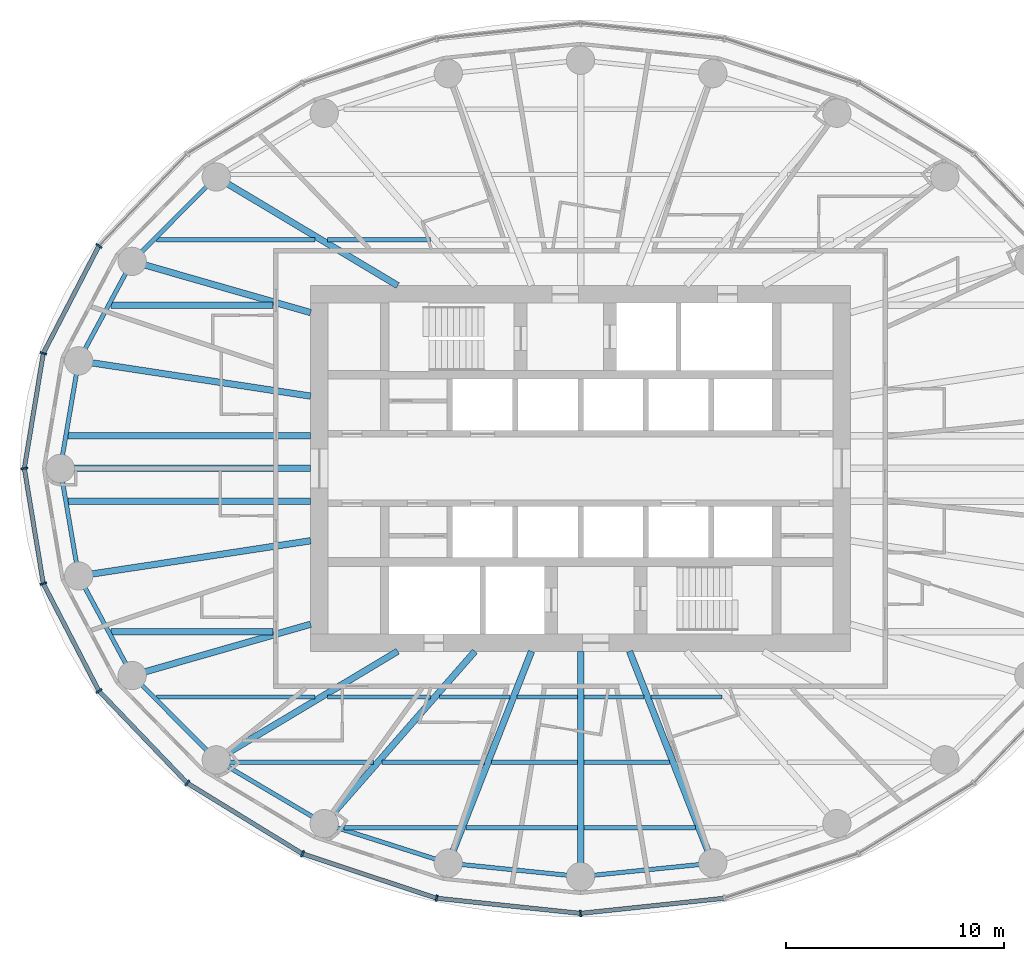
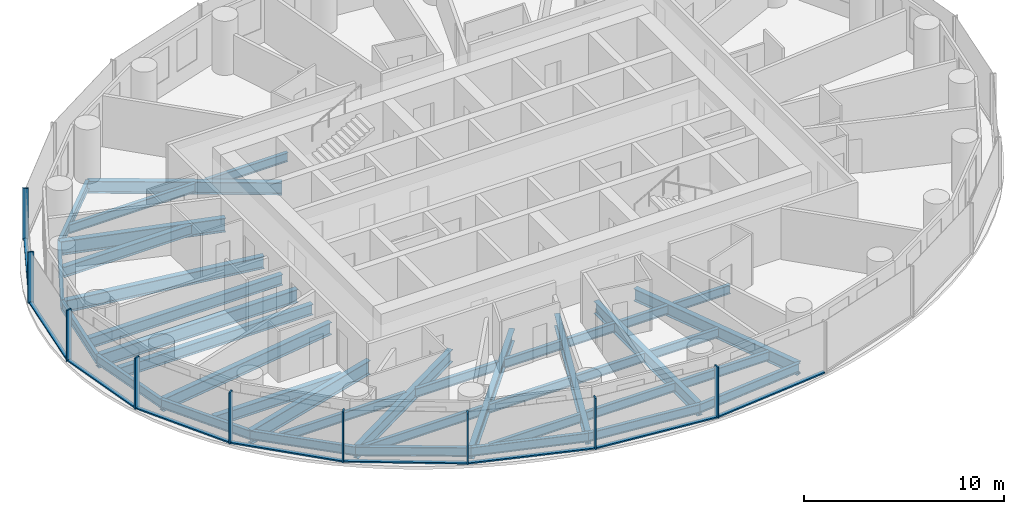
# One storey, part 2 of 13: 40 beams, 18 members, 3 elements without a shape of their own.
"""IFC4 building model written with IfcOpenShell, lengths in metres."""

from ifc_helpers import new_model, si_unit, direction, frame, origin, origin_2d, place, context, subcontext, project, spatial, rectangle, i_section, extrude, material, material_profile, profile_set, type_object, element, aggregate, save


model = new_model("IFC4")

# Units and contexts
model_context = context("Model", 3, precision=1e-05, world=origin(), true_north=direction((0.0, 1.0)))
body_context = subcontext(model_context, "Body", "Model", "MODEL_VIEW")
ifc_project = project(units=[si_unit("LENGTHUNIT", "METRE"), si_unit("AREAUNIT", "SQUARE_METRE"), si_unit("VOLUMEUNIT", "CUBIC_METRE"), si_unit("PLANEANGLEUNIT", "RADIAN"), si_unit("MASSUNIT", "GRAM", prefix="KILO")], contexts=[model_context])

# Site, building, storey
site_placement = place(None, origin())
site = spatial("IfcSite", under=ifc_project, at=site_placement, CompositionType="ELEMENT")
building_placement = place(site_placement, origin())
building = spatial("IfcBuilding", under=site, at=building_placement, Name="Hankou Lantern Tower", CompositionType="ELEMENT")
storey_placement = place(building_placement, frame((0.0, 0.0, 122.10009765625)))
storey = spatial("IfcBuildingStorey", under=building, at=storey_placement, Name="L31", CompositionType="ELEMENT", Elevation=122.10009765625)

# Beams
ifc_material_1 = material(Name="Steel Q355B", Category="steel")
ifc_material_profile_1 = material_profile(ifc_material_1, i_section(OverallWidth=0.199951171875, OverallDepth=0.550048828125, WebThickness=0.010009765625, FlangeThickness=0.01611328125, FilletRadius=0.012939453125, at=origin_2d()), Name="HN550x200x10x16")
ifc_profile_set_1 = profile_set([ifc_material_profile_1], Name="Steel Q355B")
beam_type_1 = type_object("IfcBeamType", Name="EB6 RING BEAM HN550x200x10x16", PredefinedType="SPANDREL", material=ifc_profile_set_1)
beam_1_placement = place(storey_placement, frame((-16.73388671875, 13.38720703125, -0.455078125), z_axis=(-0.705945468625, -0.708266189599, 0.0), x_axis=(0.708266189599, -0.705945468625, 0.0)))
element("IfcBeam", 1, at=beam_1_placement, inside=storey, type_object=beam_type_1, Name="Ring beam R10-R11 L31", PredefinedType="SPANDREL", context=body_context, shape_type="SweptSolid", body=[
    extrude(i_section(OverallWidth=0.199951171875, OverallDepth=0.550048828125, WebThickness=0.010009765625, FlangeThickness=0.01611328125, FilletRadius=0.012939453125, at=origin_2d()), origin(), (0.0, 0.0, 1.0), 5.470458984375),
])
beam_2_placement = place(storey_placement, frame((-20.595703125, 9.5126953125, -0.455078125), z_axis=(-0.473824901673, -0.880619079145, 0.0), x_axis=(0.880619079145, -0.473824901673, 0.0)))
element("IfcBeam", 2, at=beam_2_placement, inside=storey, type_object=beam_type_1, Name="Ring beam R11-R12 L31", PredefinedType="SPANDREL", context=body_context, shape_type="SweptSolid", body=[
    extrude(i_section(OverallWidth=0.199951171875, OverallDepth=0.550048828125, WebThickness=0.010009765625, FlangeThickness=0.01611328125, FilletRadius=0.012939453125, at=origin_2d()), origin(), (0.0, 0.0, 1.0), 5.190185546875),
])
for number, where, z_axis, x_axis, name in (
    (3, (-23.054931640625, 4.942138671875, -0.455078125), (-0.168527258545, -0.985696993567, 0.0), (0.985696993567, -0.168527258545, 0.0), "Ring beam R12-R13 L31"),
    (4, (-23.89990234375, 0.0, -0.455078125), (0.168527258545, -0.985696993567, 0.0), (0.985696993567, 0.168527258545, 0.0), "Ring beam R13-R14 L31"),
):
    element("IfcBeam", number, at=place(storey_placement, frame(where, z_axis=z_axis, x_axis=x_axis)), inside=storey, type_object=beam_type_1, Name=name, PredefinedType="SPANDREL", context=body_context, shape_type="SweptSolid", body=[
        extrude(i_section(OverallWidth=0.199951171875, OverallDepth=0.550048828125, WebThickness=0.010009765625, FlangeThickness=0.01611328125, FilletRadius=0.012939453125, at=origin_2d()), origin(), (0.0, 0.0, 1.0), 5.013916015625),
    ])
beam_3_placement = place(storey_placement, frame((-23.054931640625, -4.942138671875, -0.455078125), z_axis=(0.473824901673, -0.880619079145, 0.0), x_axis=(0.880619079145, 0.473824901673, 0.0)))
element("IfcBeam", 5, at=beam_3_placement, inside=storey, type_object=beam_type_1, Name="Ring beam R14-R15 L31", PredefinedType="SPANDREL", context=body_context, shape_type="SweptSolid", body=[
    extrude(i_section(OverallWidth=0.199951171875, OverallDepth=0.550048828125, WebThickness=0.010009765625, FlangeThickness=0.01611328125, FilletRadius=0.012939453125, at=origin_2d()), origin(), (0.0, 0.0, 1.0), 5.190185546875),
])
beam_4_placement = place(storey_placement, frame((-20.595703125, -9.5126953125, -0.455078125), z_axis=(0.705945468625, -0.708266189599, 0.0), x_axis=(0.708266189599, 0.705945468625, 0.0)))
element("IfcBeam", 6, at=beam_4_placement, inside=storey, type_object=beam_type_1, Name="Ring beam R15-R16 L31", PredefinedType="SPANDREL", context=body_context, shape_type="SweptSolid", body=[
    extrude(i_section(OverallWidth=0.199951171875, OverallDepth=0.550048828125, WebThickness=0.010009765625, FlangeThickness=0.01611328125, FilletRadius=0.012939453125, at=origin_2d()), origin(), (0.0, 0.0, 1.0), 5.470458984375),
])
beam_5_placement = place(storey_placement, frame((-16.73388671875, -13.38720703125, -0.455078125), z_axis=(0.860988974188, -0.508623619513, 0.0), x_axis=(0.508623619513, 0.860988974188, 0.0)))
element("IfcBeam", 7, at=beam_5_placement, inside=storey, type_object=beam_type_1, Name="Ring beam R16-R17 L31", PredefinedType="SPANDREL", context=body_context, shape_type="SweptSolid", body=[
    extrude(i_section(OverallWidth=0.199951171875, OverallDepth=0.550048828125, WebThickness=0.010009765625, FlangeThickness=0.01611328125, FilletRadius=0.012939453125, at=origin_2d()), origin(), (0.0, 0.0, 1.0), 5.759033203125),
])
beam_6_placement = place(storey_placement, frame((-11.775390625, -16.31640625, -0.455078125), z_axis=(0.952731090451, -0.303814860215, 0.0), x_axis=(0.303814860215, 0.952731090451, 0.0)))
element("IfcBeam", 8, at=beam_6_placement, inside=storey, type_object=beam_type_1, Name="Ring beam R17-R18 L31", PredefinedType="SPANDREL", context=body_context, shape_type="SweptSolid", body=[
    extrude(i_section(OverallWidth=0.199951171875, OverallDepth=0.550048828125, WebThickness=0.010009765625, FlangeThickness=0.01611328125, FilletRadius=0.012939453125, at=origin_2d()), origin(), (0.0, 0.0, 1.0), 5.984375),
])
for number, where, z_axis, x_axis, name in (
    (9, (-6.073974609375, -18.134521484375, -0.455078125), (0.994905271594, -0.100814188259, 0.0), (0.100814188259, 0.994905271594, 0.0), "Ring beam R18-R19 L31"),
    (10, (0.0, -18.75, -0.455078125), (0.994905271594, 0.100814188259, 0.0), (-0.100814188259, 0.994905271594, 0.0), "Ring beam R19-R20 L31"),
):
    element("IfcBeam", number, at=place(storey_placement, frame(where, z_axis=z_axis, x_axis=x_axis)), inside=storey, type_object=beam_type_1, Name=name, PredefinedType="SPANDREL", context=body_context, shape_type="SweptSolid", body=[
        extrude(i_section(OverallWidth=0.199951171875, OverallDepth=0.550048828125, WebThickness=0.010009765625, FlangeThickness=0.01611328125, FilletRadius=0.012939453125, at=origin_2d()), origin(), (0.0, 0.0, 1.0), 6.10498046875),
    ])

# Curtain wall, members
ifc_material_2 = material(Name="Glass, dark grey tinted laminated", Category="glass")
curtain_wall_type = type_object("IfcCurtainWallType", Name="CWB OUTER SKIN MID-RISE", PredefinedType="USERDEFINED", material=ifc_material_2)
curtain_wall_1_placement = place(storey_placement, origin())
curtain_wall_1 = element("IfcCurtainWall", 11, at=curtain_wall_1_placement, inside=storey, type_object=curtain_wall_type, Name="CWB L31 OS2", ObjectType="OUTER SKIN MID-RISE", PredefinedType="USERDEFINED")
ifc_material_3 = material(Name="Aluminium, black anodised", Category="aluminium")
ifc_material_profile_2 = material_profile(ifc_material_3, rectangle(XDim=0.080078125, YDim=0.300048828125, at=origin_2d()), Name="MU1 80X300")
ifc_profile_set_2 = profile_set([ifc_material_profile_2], Name="Aluminium, black anodised")
member_type_1 = type_object("IfcMemberType", Name="MU1 OUTER SKIN MULLION 80X300", PredefinedType="MULLION", material=ifc_profile_set_2)
member_1_placement = place(storey_placement, frame((-22.126953125, 10.219970703125, 0.0), z_axis=(0.0, 0.0, 1.0), x_axis=(-0.585205735974, -0.810884854084, 0.0)))
member_1 = element("IfcMember", 12, at=member_1_placement, type_object=member_type_1, Name="CWB mullion 5", PredefinedType="MULLION", context=body_context, shape_type="SweptSolid", body=[
    extrude(rectangle(XDim=0.080078125, YDim=0.300048828125, at=origin_2d()), origin(), (0.0, 0.0, 1.0), 3.119873046875),
])
member_2_placement = place(storey_placement, frame((-24.679443359375, 5.290283203125, 0.0), z_axis=(0.0, 0.0, 1.0), x_axis=(-0.317595577365, -0.94822626479, 0.0)))
member_2 = element("IfcMember", 13, at=member_2_placement, type_object=member_type_1, Name="CWB mullion 6", PredefinedType="MULLION", context=body_context, shape_type="SweptSolid", body=[
    extrude(rectangle(XDim=0.080078125, YDim=0.300048828125, at=origin_2d()), origin(), (0.0, 0.0, 1.0), 3.119873046875),
])

curtain_wall_2_placement = place(storey_placement, origin())
curtain_wall_2 = element("IfcCurtainWall", 14, at=curtain_wall_2_placement, inside=storey, type_object=curtain_wall_type, Name="CWB L31 OS3", ObjectType="OUTER SKIN MID-RISE", PredefinedType="USERDEFINED")
member_3_placement = place(storey_placement, frame((-25.550048828125, 0.0, 0.0), z_axis=(0.0, 0.0, 1.0), x_axis=(0.162381515188, -0.986728049427, 0.0)))
member_3 = element("IfcMember", 15, at=member_3_placement, type_object=member_type_1, Name="CWB mullion 1", PredefinedType="MULLION", context=body_context, shape_type="SweptSolid", body=[
    extrude(rectangle(XDim=0.080078125, YDim=0.300048828125, at=origin_2d()), origin(), (0.0, 0.0, 1.0), 3.119873046875),
])
member_4_placement = place(storey_placement, frame((-24.679443359375, -5.290283203125, 0.0), z_axis=(0.0, 0.0, 1.0), x_axis=(0.317595577365, -0.94822626479, 0.0)))
member_4 = element("IfcMember", 16, at=member_4_placement, type_object=member_type_1, Name="CWB mullion 2", PredefinedType="MULLION", context=body_context, shape_type="SweptSolid", body=[
    extrude(rectangle(XDim=0.080078125, YDim=0.300048828125, at=origin_2d()), origin(), (0.0, 0.0, 1.0), 3.119873046875),
])
member_5_placement = place(storey_placement, frame((-22.126953125, -10.219970703125, 0.0), z_axis=(0.0, 0.0, 1.0), x_axis=(0.585205735974, -0.810884854084, 0.0)))
member_5 = element("IfcMember", 17, at=member_5_placement, type_object=member_type_1, Name="CWB mullion 3", PredefinedType="MULLION", context=body_context, shape_type="SweptSolid", body=[
    extrude(rectangle(XDim=0.080078125, YDim=0.300048828125, at=origin_2d()), origin(), (0.0, 0.0, 1.0), 3.119873046875),
])
member_6_placement = place(storey_placement, frame((-18.066650390625, -14.453369140625, 0.0), z_axis=(0.0, 0.0, 1.0), x_axis=(0.780868809444, -0.624695047553, 0.0)))
member_6 = element("IfcMember", 18, at=member_6_placement, type_object=member_type_1, Name="CWB mullion 4", PredefinedType="MULLION", context=body_context, shape_type="SweptSolid", body=[
    extrude(rectangle(XDim=0.080078125, YDim=0.300048828125, at=origin_2d()), origin(), (0.0, 0.0, 1.0), 3.119873046875),
])
member_7_placement = place(storey_placement, frame((-12.77490234375, -17.70166015625, 0.0), z_axis=(0.0, 0.0, 1.0), x_axis=(0.907841299004, -0.419313934686, 0.0)))
member_7 = element("IfcMember", 19, at=member_7_placement, type_object=member_type_1, Name="CWB mullion 5", PredefinedType="MULLION", context=body_context, shape_type="SweptSolid", body=[
    extrude(rectangle(XDim=0.080078125, YDim=0.300048828125, at=origin_2d()), origin(), (0.0, 0.0, 1.0), 3.119873046875),
])
member_8_placement = place(storey_placement, frame((-6.61279296875, -19.743408203125, 0.0), z_axis=(0.0, 0.0, 1.0), x_axis=(0.977787659625, -0.209597931016, 0.0)))
member_8 = element("IfcMember", 20, at=member_8_placement, type_object=member_type_1, Name="CWB mullion 6", PredefinedType="MULLION", context=body_context, shape_type="SweptSolid", body=[
    extrude(rectangle(XDim=0.080078125, YDim=0.300048828125, at=origin_2d()), origin(), (0.0, 0.0, 1.0), 3.119873046875),
])

# Curtain wall, member
curtain_wall_3_placement = place(storey_placement, origin())
curtain_wall_3 = element("IfcCurtainWall", 21, at=curtain_wall_3_placement, inside=storey, type_object=curtain_wall_type, Name="CWB L31 OS4", ObjectType="OUTER SKIN MID-RISE", PredefinedType="USERDEFINED")
member_9_placement = place(storey_placement, frame((0.0, -20.43994140625, 0.0), z_axis=(0.0, 0.0, 1.0), x_axis=(0.994499359107, 0.104742659579, 0.0)))
member_9 = element("IfcMember", 22, at=member_9_placement, type_object=member_type_1, Name="CWB mullion 1", PredefinedType="MULLION", context=body_context, shape_type="SweptSolid", body=[
    extrude(rectangle(XDim=0.080078125, YDim=0.300048828125, at=origin_2d()), origin(), (0.0, 0.0, 1.0), 3.119873046875),
])

# Beams
ifc_material_4 = material(Name="Steel Q355B", Category="steel")
ifc_material_profile_3 = material_profile(ifc_material_4, i_section(OverallWidth=0.300048828125, OverallDepth=0.75, WebThickness=0.012939453125, FlangeThickness=0.02392578125, FilletRadius=0.01806640625, at=origin_2d()), Name="HN750x300x13x24")
ifc_profile_set_3 = profile_set([ifc_material_profile_3], Name="Steel Q355B")
beam_type_2 = type_object("IfcBeamType", Name="RB10 RADIAL BEAM HN750x300x13x24", PredefinedType="BEAM", material=ifc_profile_set_3)
beam_7_placement = place(storey_placement, frame((-8.39990234375, 8.39990234375, -0.55517578125), z_axis=(-0.858086776551, 0.513504706802, 0.0), x_axis=(-0.513504706802, -0.858086776551, 0.0)))
element("IfcBeam", 23, at=beam_7_placement, inside=storey, type_object=beam_type_2, Name="Radial beam R10 L31", PredefinedType="BEAM", context=body_context, shape_type="SweptSolid", body=[
    extrude(i_section(OverallWidth=0.300048828125, OverallDepth=0.75, WebThickness=0.012939453125, FlangeThickness=0.02392578125, FilletRadius=0.01806640625, at=origin_2d()), origin(), (0.0, 0.0, 1.0), 9.71240234375),
])
for number, where, z_axis, x_axis, name in (
    (24, (-12.39990234375, 3.322509765625, -0.55517578125), (-0.988643506875, 0.150279793429, 0.0), (-0.150279793429, -0.988643506875, 0.0), "Radial beam R12 L31"),
    (25, (-12.39990234375, -3.322509765625, -0.55517578125), (-0.988643506875, -0.150279793429, 0.0), (0.150279793429, -0.988643506875, 0.0), "Radial beam R14 L31"),
):
    element("IfcBeam", number, at=place(storey_placement, frame(where, z_axis=z_axis, x_axis=x_axis)), inside=storey, type_object=beam_type_2, Name=name, PredefinedType="BEAM", context=body_context, shape_type="SweptSolid", body=[
        extrude(i_section(OverallWidth=0.300048828125, OverallDepth=0.75, WebThickness=0.012939453125, FlangeThickness=0.02392578125, FilletRadius=0.01806640625, at=origin_2d()), origin(), (0.0, 0.0, 1.0), 10.77734375),
    ])
beam_8_placement = place(storey_placement, frame((-8.39990234375, -8.39990234375, -0.55517578125), z_axis=(-0.858086776551, -0.513504706802, 0.0), x_axis=(0.513504706802, -0.858086776551, 0.0)))
element("IfcBeam", 26, at=beam_8_placement, inside=storey, type_object=beam_type_2, Name="Radial beam R16 L31", PredefinedType="BEAM", context=body_context, shape_type="SweptSolid", body=[
    extrude(i_section(OverallWidth=0.300048828125, OverallDepth=0.75, WebThickness=0.012939453125, FlangeThickness=0.02392578125, FilletRadius=0.01806640625, at=origin_2d()), origin(), (0.0, 0.0, 1.0), 9.71240234375),
])
beam_9_placement = place(storey_placement, frame((-4.849853515625, -8.39990234375, -0.55517578125), z_axis=(-0.658429014446, -0.752642832249, 0.0), x_axis=(0.752642832249, -0.658429014446, 0.0)))
element("IfcBeam", 27, at=beam_9_placement, inside=storey, type_object=beam_type_2, Name="Radial beam R17 L31", PredefinedType="BEAM", context=body_context, shape_type="SweptSolid", body=[
    extrude(i_section(OverallWidth=0.300048828125, OverallDepth=0.75, WebThickness=0.012939453125, FlangeThickness=0.02392578125, FilletRadius=0.01806640625, at=origin_2d()), origin(), (0.0, 0.0, 1.0), 10.518310546875),
])
beam_10_placement = place(storey_placement, frame((-2.250732421875, -8.39990234375, -0.55517578125), z_axis=(-0.365563535437, -0.930786388791, 0.0), x_axis=(0.930786388791, -0.365563535437, 0.0)))
element("IfcBeam", 28, at=beam_10_placement, inside=storey, type_object=beam_type_2, Name="Radial beam R18 L31", PredefinedType="BEAM", context=body_context, shape_type="SweptSolid", body=[
    extrude(i_section(OverallWidth=0.300048828125, OverallDepth=0.75, WebThickness=0.012939453125, FlangeThickness=0.02392578125, FilletRadius=0.01806640625, at=origin_2d()), origin(), (0.0, 0.0, 1.0), 10.45849609375),
])
beam_11_placement = place(storey_placement, frame((0.0, -8.39990234375, -0.55517578125), z_axis=(0.0, -1.0, 0.0), x_axis=(1.0, 0.0, 0.0)))
element("IfcBeam", 29, at=beam_11_placement, inside=storey, type_object=beam_type_2, Name="Radial beam R19 L31", PredefinedType="BEAM", context=body_context, shape_type="SweptSolid", body=[
    extrude(i_section(OverallWidth=0.300048828125, OverallDepth=0.75, WebThickness=0.012939453125, FlangeThickness=0.02392578125, FilletRadius=0.01806640625, at=origin_2d()), origin(), (0.0, 0.0, 1.0), 10.35009765625),
])
beam_12_placement = place(storey_placement, frame((2.250732421875, -8.39990234375, -0.55517578125), z_axis=(0.365563535437, -0.930786388791, 0.0), x_axis=(0.930786388791, 0.365563535437, 0.0)))
element("IfcBeam", 30, at=beam_12_placement, inside=storey, type_object=beam_type_2, Name="Radial beam R20 L31", PredefinedType="BEAM", context=body_context, shape_type="SweptSolid", body=[
    extrude(i_section(OverallWidth=0.300048828125, OverallDepth=0.75, WebThickness=0.012939453125, FlangeThickness=0.02392578125, FilletRadius=0.01806640625, at=origin_2d()), origin(), (0.0, 0.0, 1.0), 10.45849609375),
])
ifc_material_5 = material(Name="Steel Q355B", Category="steel")
ifc_material_profile_4 = material_profile(ifc_material_5, i_section(OverallWidth=0.300048828125, OverallDepth=0.800048828125, WebThickness=0.013916015625, FlangeThickness=0.02587890625, FilletRadius=0.01806640625, at=origin_2d()), Name="HN800x300x14x26")
ifc_profile_set_4 = profile_set([ifc_material_profile_4], Name="Steel Q355B")
beam_type_3 = type_object("IfcBeamType", Name="RB11 RADIAL BEAM HN800x300x14x26", PredefinedType="BEAM", material=ifc_profile_set_4)
beam_13_placement = place(storey_placement, frame((-12.39990234375, 0.0, -0.580078125), z_axis=(-1.0, 0.0, 0.0), x_axis=(0.0, -1.0, 0.0)))
element("IfcBeam", 31, at=beam_13_placement, inside=storey, type_object=beam_type_3, Name="Radial beam R13 L31", PredefinedType="BEAM", context=body_context, shape_type="SweptSolid", body=[
    extrude(i_section(OverallWidth=0.300048828125, OverallDepth=0.800048828125, WebThickness=0.013916015625, FlangeThickness=0.02587890625, FilletRadius=0.01806640625, at=origin_2d()), origin(), (0.0, 0.0, 1.0), 11.5),
])
ifc_material_6 = material(Name="Steel Q355B", Category="steel")
ifc_material_profile_5 = material_profile(ifc_material_6, i_section(OverallWidth=0.300048828125, OverallDepth=0.85009765625, WebThickness=0.01611328125, FlangeThickness=0.027099609375, FilletRadius=0.01806640625, at=origin_2d()), Name="HN850x300x16x27")
ifc_profile_set_5 = profile_set([ifc_material_profile_5], Name="Steel Q355B")
beam_type_4 = type_object("IfcBeamType", Name="RB12 RADIAL BEAM HN850x300x16x27", PredefinedType="BEAM", material=ifc_profile_set_5)
for number, where, z_axis, x_axis, name in (
    (32, (-12.39990234375, 7.1591796875, -0.60498046875), (-0.961155741911, 0.276006593745, 0.0), (-0.276006593745, -0.961155741911, 0.0), "Radial beam R11 L31"),
    (33, (-12.39990234375, -7.1591796875, -0.60498046875), (-0.961155741911, -0.276006593745, 0.0), (0.276006593745, -0.961155741911, 0.0), "Radial beam R15 L31"),
):
    element("IfcBeam", number, at=place(storey_placement, frame(where, z_axis=z_axis, x_axis=x_axis)), inside=storey, type_object=beam_type_4, Name=name, PredefinedType="BEAM", context=body_context, shape_type="SweptSolid", body=[
        extrude(i_section(OverallWidth=0.300048828125, OverallDepth=0.85009765625, WebThickness=0.01611328125, FlangeThickness=0.027099609375, FilletRadius=0.01806640625, at=origin_2d()), origin(), (0.0, 0.0, 1.0), 8.527099609375),
    ])
ifc_material_7 = material(Name="Steel Q355B", Category="steel")
ifc_material_profile_6 = material_profile(ifc_material_7, i_section(OverallWidth=0.199951171875, OverallDepth=0.550048828125, WebThickness=0.010009765625, FlangeThickness=0.01611328125, FilletRadius=0.012939453125, at=origin_2d()), Name="HN550x200x10x16")
ifc_profile_set_6 = profile_set([ifc_material_profile_6], Name="Steel Q355B")
beam_type_5 = type_object("IfcBeamType", Name="SB6 SECONDARY BEAM HN550x200x10x16", PredefinedType="JOIST", material=ifc_profile_set_6)
beam_14_placement = place(storey_placement, frame((-10.8701171875, -16.5, -0.455078125), z_axis=(1.0, 0.0, 0.0), x_axis=(0.0, 1.0, 0.0)))
element("IfcBeam", 34, at=beam_14_placement, inside=storey, type_object=beam_type_5, Name="Floor joist J001 L31", PredefinedType="JOIST", context=body_context, shape_type="SweptSolid", body=[
    extrude(i_section(OverallWidth=0.199951171875, OverallDepth=0.550048828125, WebThickness=0.010009765625, FlangeThickness=0.01611328125, FilletRadius=0.012939453125, at=origin_2d()), origin(), (0.0, 0.0, 1.0), 5.27685546875),
])
for number, where, z_axis, x_axis, name in (
    (35, (-5.270751953125, -16.5, -0.455078125), (1.0, 0.0, 0.0), (0.0, 1.0, 0.0), "Floor joist J002 L31"),
    (36, (0.14990234375, -16.5, -0.455078125), (1.0, 0.0, 0.0), (0.0, 1.0, 0.0), "Floor joist J003 L31"),
):
    element("IfcBeam", number, at=place(storey_placement, frame(where, z_axis=z_axis, x_axis=x_axis)), inside=storey, type_object=beam_type_5, Name=name, PredefinedType="JOIST", context=body_context, shape_type="SweptSolid", body=[
        extrude(i_section(OverallWidth=0.199951171875, OverallDepth=0.550048828125, WebThickness=0.010009765625, FlangeThickness=0.01611328125, FilletRadius=0.012939453125, at=origin_2d()), origin(), (0.0, 0.0, 1.0), 5.120849609375),
    ])
beam_15_placement = place(storey_placement, frame((-16.34619140625, -13.5, -0.455078125), z_axis=(1.0, 0.0, 0.0), x_axis=(0.0, 1.0, 0.0)))
element("IfcBeam", 37, at=beam_15_placement, inside=storey, type_object=beam_type_5, Name="Floor joist J005 L31", PredefinedType="JOIST", context=body_context, shape_type="SweptSolid", body=[
    extrude(i_section(OverallWidth=0.199951171875, OverallDepth=0.550048828125, WebThickness=0.010009765625, FlangeThickness=0.01611328125, FilletRadius=0.012939453125, at=origin_2d()), origin(), (0.0, 0.0, 1.0), 6.83544921875),
])
beam_16_placement = place(storey_placement, frame((-9.112060546875, -13.5, -0.455078125), z_axis=(1.0, 0.0, 0.0), x_axis=(0.0, 1.0, 0.0)))
element("IfcBeam", 38, at=beam_16_placement, inside=storey, type_object=beam_type_5, Name="Floor joist J006 L31", PredefinedType="JOIST", context=body_context, shape_type="SweptSolid", body=[
    extrude(i_section(OverallWidth=0.199951171875, OverallDepth=0.550048828125, WebThickness=0.010009765625, FlangeThickness=0.01611328125, FilletRadius=0.012939453125, at=origin_2d()), origin(), (0.0, 0.0, 1.0), 4.697021484375),
])
for number, where, z_axis, x_axis, name in (
    (39, (-4.092529296875, -13.5, -0.455078125), (1.0, 0.0, 0.0), (0.0, 1.0, 0.0), "Floor joist J007 L31"),
    (40, (0.14990234375, -13.5, -0.455078125), (1.0, 0.0, 0.0), (0.0, 1.0, 0.0), "Floor joist J008 L31"),
):
    element("IfcBeam", number, at=place(storey_placement, frame(where, z_axis=z_axis, x_axis=x_axis)), inside=storey, type_object=beam_type_5, Name=name, PredefinedType="JOIST", context=body_context, shape_type="SweptSolid", body=[
        extrude(i_section(OverallWidth=0.199951171875, OverallDepth=0.550048828125, WebThickness=0.010009765625, FlangeThickness=0.01611328125, FilletRadius=0.012939453125, at=origin_2d()), origin(), (0.0, 0.0, 1.0), 3.942626953125),
    ])
beam_17_placement = place(storey_placement, frame((-19.470458984375, -10.5, -0.455078125), z_axis=(1.0, 0.0, 0.0), x_axis=(0.0, 1.0, 0.0)))
element("IfcBeam", 41, at=beam_17_placement, inside=storey, type_object=beam_type_5, Name="Floor joist J011 L31", PredefinedType="JOIST", context=body_context, shape_type="SweptSolid", body=[
    extrude(i_section(OverallWidth=0.199951171875, OverallDepth=0.550048828125, WebThickness=0.010009765625, FlangeThickness=0.01611328125, FilletRadius=0.012939453125, at=origin_2d()), origin(), (0.0, 0.0, 1.0), 7.26904296875),
])
beam_18_placement = place(storey_placement, frame((-11.6171875, -10.5, -0.455078125), z_axis=(1.0, 0.0, 0.0), x_axis=(0.0, 1.0, 0.0)))
element("IfcBeam", 42, at=beam_18_placement, inside=storey, type_object=beam_type_5, Name="Floor joist J012 L31", PredefinedType="JOIST", context=body_context, shape_type="SweptSolid", body=[
    extrude(i_section(OverallWidth=0.199951171875, OverallDepth=0.550048828125, WebThickness=0.010009765625, FlangeThickness=0.01611328125, FilletRadius=0.012939453125, at=origin_2d()), origin(), (0.0, 0.0, 1.0), 4.73095703125),
])
beam_19_placement = place(storey_placement, frame((-6.487548828125, -10.5, -0.455078125), z_axis=(1.0, 0.0, 0.0), x_axis=(0.0, 1.0, 0.0)))
element("IfcBeam", 43, at=beam_19_placement, inside=storey, type_object=beam_type_5, Name="Floor joist J013 L31", PredefinedType="JOIST", context=body_context, shape_type="SweptSolid", body=[
    extrude(i_section(OverallWidth=0.199951171875, OverallDepth=0.550048828125, WebThickness=0.010009765625, FlangeThickness=0.01611328125, FilletRadius=0.012939453125, at=origin_2d()), origin(), (0.0, 0.0, 1.0), 3.2509765625),
])
for number, where, z_axis, x_axis, name in (
    (44, (-2.914306640625, -10.5, -0.455078125), (1.0, 0.0, 0.0), (0.0, 1.0, 0.0), "Floor joist J014 L31"),
    (45, (0.14990234375, -10.5, -0.455078125), (1.0, 0.0, 0.0), (0.0, 1.0, 0.0), "Floor joist J015 L31"),
):
    element("IfcBeam", number, at=place(storey_placement, frame(where, z_axis=z_axis, x_axis=x_axis)), inside=storey, type_object=beam_type_5, Name=name, PredefinedType="JOIST", context=body_context, shape_type="SweptSolid", body=[
        extrude(i_section(OverallWidth=0.199951171875, OverallDepth=0.550048828125, WebThickness=0.010009765625, FlangeThickness=0.01611328125, FilletRadius=0.012939453125, at=origin_2d()), origin(), (0.0, 0.0, 1.0), 2.764404296875),
    ])
beam_20_placement = place(storey_placement, frame((3.236572265625, -10.5, -0.455078125), z_axis=(1.0, 0.0, 0.0), x_axis=(0.0, 1.0, 0.0)))
element("IfcBeam", 46, at=beam_20_placement, inside=storey, type_object=beam_type_5, Name="Floor joist J016 L31", PredefinedType="JOIST", context=body_context, shape_type="SweptSolid", body=[
    extrude(i_section(OverallWidth=0.199951171875, OverallDepth=0.550048828125, WebThickness=0.010009765625, FlangeThickness=0.01611328125, FilletRadius=0.012939453125, at=origin_2d()), origin(), (0.0, 0.0, 1.0), 3.2509765625),
])
beam_21_placement = place(storey_placement, frame((-19.470458984375, 10.5, -0.455078125), z_axis=(1.0, 0.0, 0.0), x_axis=(0.0, 1.0, 0.0)))
element("IfcBeam", 47, at=beam_21_placement, inside=storey, type_object=beam_type_5, Name="Floor joist J035 L31", PredefinedType="JOIST", context=body_context, shape_type="SweptSolid", body=[
    extrude(i_section(OverallWidth=0.199951171875, OverallDepth=0.550048828125, WebThickness=0.010009765625, FlangeThickness=0.01611328125, FilletRadius=0.012939453125, at=origin_2d()), origin(), (0.0, 0.0, 1.0), 7.26904296875),
])
beam_22_placement = place(storey_placement, frame((-11.6171875, 10.5, -0.455078125), z_axis=(1.0, 0.0, 0.0), x_axis=(0.0, 1.0, 0.0)))
element("IfcBeam", 48, at=beam_22_placement, inside=storey, type_object=beam_type_5, Name="Floor joist J036 L31", PredefinedType="JOIST", context=body_context, shape_type="SweptSolid", body=[
    extrude(i_section(OverallWidth=0.199951171875, OverallDepth=0.550048828125, WebThickness=0.010009765625, FlangeThickness=0.01611328125, FilletRadius=0.012939453125, at=origin_2d()), origin(), (0.0, 0.0, 1.0), 4.73095703125),
])
ifc_material_8 = material(Name="Steel Q355B", Category="steel")
ifc_material_profile_7 = material_profile(ifc_material_8, i_section(OverallWidth=0.300048828125, OverallDepth=0.64990234375, WebThickness=0.010986328125, FlangeThickness=0.01708984375, FilletRadius=0.01806640625, at=origin_2d()), Name="HN650x300x11x17")
ifc_profile_set_7 = profile_set([ifc_material_profile_7], Name="Steel Q355B")
beam_type_6 = type_object("IfcBeamType", Name="SB8 SECONDARY BEAM HN650x300x11x17", PredefinedType="JOIST", material=ifc_profile_set_7)
beam_23_placement = place(storey_placement, frame((-21.56494140625, -7.5, -0.505126953125), z_axis=(1.0, 0.0, 0.0), x_axis=(0.0, 1.0, 0.0)))
element("IfcBeam", 49, at=beam_23_placement, inside=storey, type_object=beam_type_6, Name="Floor joist J019 L31", PredefinedType="JOIST", context=body_context, shape_type="SweptSolid", body=[
    extrude(i_section(OverallWidth=0.300048828125, OverallDepth=0.64990234375, WebThickness=0.010986328125, FlangeThickness=0.01708984375, FilletRadius=0.01806640625, at=origin_2d()), origin(), (0.0, 0.0, 1.0), 7.4345703125),
])
for number, where, z_axis, x_axis, name in (
    (50, (-23.5419921875, -1.5, -0.505126953125), (1.0, 0.0, 0.0), (0.0, 1.0, 0.0), "Floor joist J025 L31"),
    (51, (-23.5419921875, 1.5, -0.505126953125), (1.0, 0.0, 0.0), (0.0, 1.0, 0.0), "Floor joist J027 L31"),
):
    element("IfcBeam", number, at=place(storey_placement, frame(where, z_axis=z_axis, x_axis=x_axis)), inside=storey, type_object=beam_type_6, Name=name, PredefinedType="JOIST", context=body_context, shape_type="SweptSolid", body=[
        extrude(i_section(OverallWidth=0.300048828125, OverallDepth=0.64990234375, WebThickness=0.010986328125, FlangeThickness=0.01708984375, FilletRadius=0.01806640625, at=origin_2d()), origin(), (0.0, 0.0, 1.0), 11.14208984375),
    ])
beam_24_placement = place(storey_placement, frame((-21.56494140625, 7.5, -0.505126953125), z_axis=(1.0, 0.0, 0.0), x_axis=(0.0, 1.0, 0.0)))
element("IfcBeam", 52, at=beam_24_placement, inside=storey, type_object=beam_type_6, Name="Floor joist J033 L31", PredefinedType="JOIST", context=body_context, shape_type="SweptSolid", body=[
    extrude(i_section(OverallWidth=0.300048828125, OverallDepth=0.64990234375, WebThickness=0.010986328125, FlangeThickness=0.01708984375, FilletRadius=0.01806640625, at=origin_2d()), origin(), (0.0, 0.0, 1.0), 7.4345703125),
])

# Member
ifc_material_9 = material(Name="Aluminium, black anodised", Category="aluminium")
ifc_material_profile_8 = material_profile(ifc_material_9, rectangle(XDim=0.199951171875, YDim=0.080078125, at=origin_2d()), Name="TR1 200X80")
ifc_profile_set_8 = profile_set([ifc_material_profile_8], Name="Aluminium, black anodised")
member_type_2 = type_object("IfcMemberType", Name="TR1 OUTER SKIN TRANSOM 200X80", PredefinedType="USERDEFINED", material=ifc_profile_set_8)
member_10_placement = place(storey_placement, frame((-22.145263671875, 10.1845703125, 0.039794921875), z_axis=(-0.459805240543, -0.888019786249, 0.0), x_axis=(0.888019786249, -0.459805240543, 0.0)))
member_10 = element("IfcMember", 53, at=member_10_placement, type_object=member_type_2, Name="CWB transom 5", ObjectType="TRANSOM", PredefinedType="USERDEFINED", context=body_context, shape_type="SweptSolid", body=[
    extrude(rectangle(XDim=0.199951171875, YDim=0.080078125, at=origin_2d()), origin(), (0.0, 0.0, 1.0), 5.4716796875),
])

member_11_placement = place(storey_placement, frame((-24.685791015625, 5.250732421875, 0.039794921875), z_axis=(-0.162397124076, -0.986725480614, 0.0), x_axis=(0.986725480614, -0.162397124076, 0.0)))
member_11 = element("IfcMember", 54, at=member_11_placement, type_object=member_type_2, Name="CWB transom 6", ObjectType="TRANSOM", PredefinedType="USERDEFINED", context=body_context, shape_type="SweptSolid", body=[
    extrude(rectangle(XDim=0.199951171875, YDim=0.080078125, at=origin_2d()), origin(), (0.0, 0.0, 1.0), 5.28125),
])

aggregate(curtain_wall_1, [member_1, member_2, member_10, member_11])

member_12_placement = place(storey_placement, frame((-25.54345703125, -0.03955078125, 0.039794921875), z_axis=(0.162397124076, -0.986725480614, 0.0), x_axis=(0.986725480614, 0.162397124076, 0.0)))
member_12 = element("IfcMember", 55, at=member_12_placement, type_object=member_type_2, Name="CWB transom 1", ObjectType="TRANSOM", PredefinedType="USERDEFINED", context=body_context, shape_type="SweptSolid", body=[
    extrude(rectangle(XDim=0.199951171875, YDim=0.080078125, at=origin_2d()), origin(), (0.0, 0.0, 1.0), 5.28125),
])

member_13_placement = place(storey_placement, frame((-24.6611328125, -5.32568359375, 0.039794921875), z_axis=(0.459805240543, -0.888019786249, 0.0), x_axis=(0.888019786249, 0.459805240543, 0.0)))
member_13 = element("IfcMember", 56, at=member_13_placement, type_object=member_type_2, Name="CWB transom 2", ObjectType="TRANSOM", PredefinedType="USERDEFINED", context=body_context, shape_type="SweptSolid", body=[
    extrude(rectangle(XDim=0.199951171875, YDim=0.080078125, at=origin_2d()), origin(), (0.0, 0.0, 1.0), 5.4716796875),
])

member_14_placement = place(storey_placement, frame((-22.099365234375, -10.248779296875, 0.039794921875), z_axis=(0.692226977748, -0.721679853729, 0.0), x_axis=(0.721679853729, 0.692226977748, 0.0)))
member_14 = element("IfcMember", 57, at=member_14_placement, type_object=member_type_2, Name="CWB transom 3", ObjectType="TRANSOM", PredefinedType="USERDEFINED", context=body_context, shape_type="SweptSolid", body=[
    extrude(rectangle(XDim=0.199951171875, YDim=0.080078125, at=origin_2d()), origin(), (0.0, 0.0, 1.0), 5.785888671875),
])

member_15_placement = place(storey_placement, frame((-18.032470703125, -14.47412109375, 0.039794921875), z_axis=(0.852229492169, -0.523168130411, 0.0), x_axis=(0.523168130411, 0.852229492169, 0.0)))
member_15 = element("IfcMember", 58, at=member_15_placement, type_object=member_type_2, Name="CWB transom 4", ObjectType="TRANSOM", PredefinedType="USERDEFINED", context=body_context, shape_type="SweptSolid", body=[
    extrude(rectangle(XDim=0.199951171875, YDim=0.080078125, at=origin_2d()), origin(), (0.0, 0.0, 1.0), 6.129150390625),
])

member_16_placement = place(storey_placement, frame((-12.737060546875, -17.714111328125, 0.039794921875), z_axis=(0.949237765745, -0.314559476225, 0.0), x_axis=(0.314559476225, 0.949237765745, 0.0)))
member_16 = element("IfcMember", 59, at=member_16_placement, type_object=member_type_2, Name="CWB transom 5", ObjectType="TRANSOM", PredefinedType="USERDEFINED", context=body_context, shape_type="SweptSolid", body=[
    extrude(rectangle(XDim=0.199951171875, YDim=0.080078125, at=origin_2d()), origin(), (0.0, 0.0, 1.0), 6.41162109375),
])

member_17_placement = place(storey_placement, frame((-6.572998046875, -19.747802734375, 0.039794921875), z_axis=(0.994500972001, -0.10472734451, 0.0), x_axis=(0.10472734451, 0.994500972001, 0.0)))
member_17 = element("IfcMember", 60, at=member_17_placement, type_object=member_type_2, Name="CWB transom 6", ObjectType="TRANSOM", PredefinedType="USERDEFINED", context=body_context, shape_type="SweptSolid", body=[
    extrude(rectangle(XDim=0.199951171875, YDim=0.080078125, at=origin_2d()), origin(), (0.0, 0.0, 1.0), 6.5693359375),
])

aggregate(curtain_wall_2, [member_3, member_4, member_5, member_6, member_7, member_8, member_12, member_13, member_14, member_15, member_16, member_17])

member_18_placement = place(storey_placement, frame((0.039794921875, -20.435791015625, 0.039794921875), z_axis=(0.994500972001, 0.10472734451, 0.0), x_axis=(-0.10472734451, 0.994500972001, 0.0)))
member_18 = element("IfcMember", 61, at=member_18_placement, type_object=member_type_2, Name="CWB transom 1", ObjectType="TRANSOM", PredefinedType="USERDEFINED", context=body_context, shape_type="SweptSolid", body=[
    extrude(rectangle(XDim=0.199951171875, YDim=0.080078125, at=origin_2d()), origin(), (0.0, 0.0, 1.0), 6.5693359375),
])

aggregate(curtain_wall_3, [member_9, member_18])

save(model, "model.ifc")
